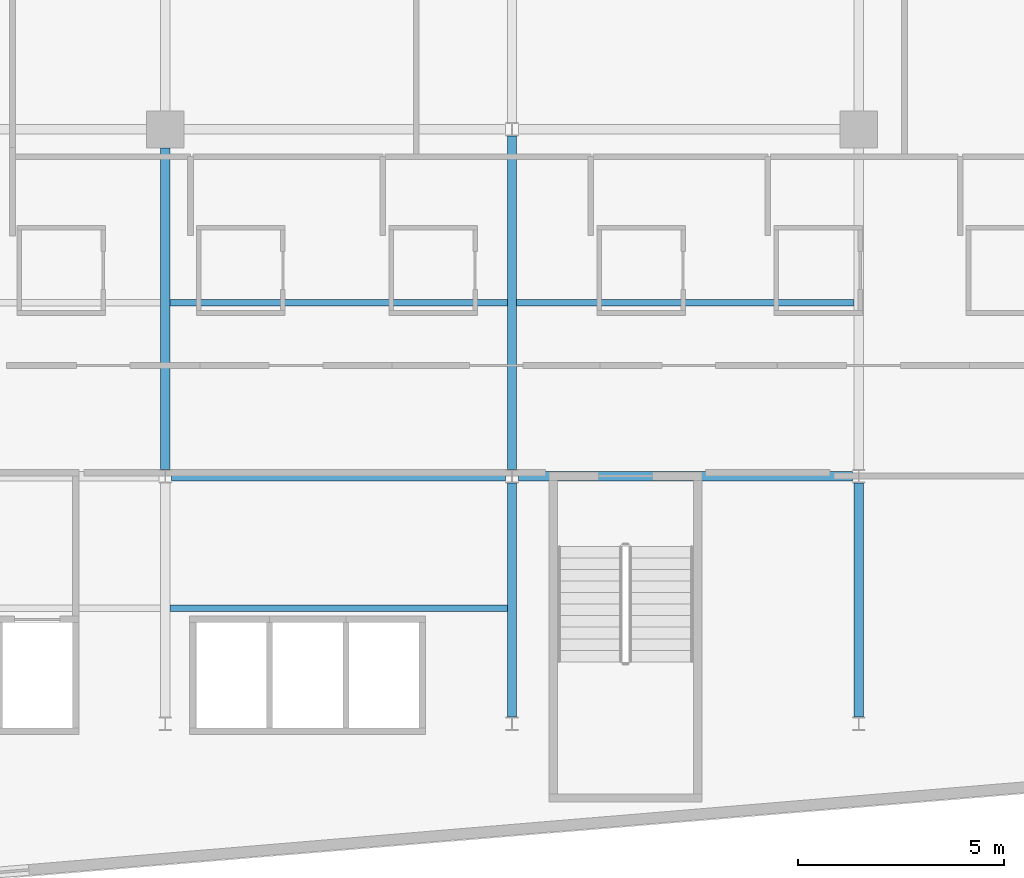
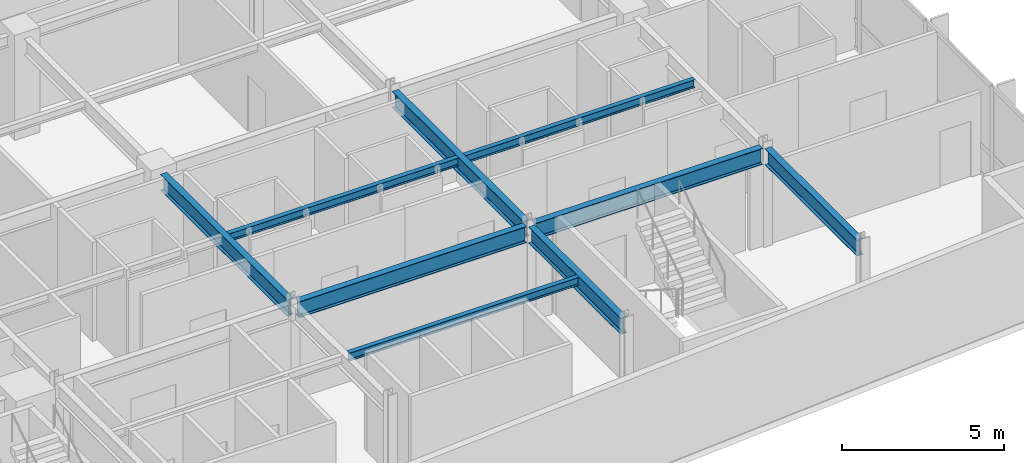
# One storey, part 4 of 20: 9 beams.
"""IFC4 building model written with IfcOpenShell, lengths in metres."""

from ifc_helpers import new_model, si_unit, direction, frame, origin, origin_2d, place, context, subcontext, project, spatial, i_section, extrude, material, material_profile, profile_set, type_object, element, save


model = new_model("IFC4")

# Units and contexts
model_context = context("Model", 3, precision=1e-05, world=origin(), true_north=direction((0.0, 1.0)))
body_context = subcontext(model_context, "Body", "Model", "MODEL_VIEW")
ifc_project = project(units=[si_unit("LENGTHUNIT", "METRE"), si_unit("AREAUNIT", "SQUARE_METRE"), si_unit("VOLUMEUNIT", "CUBIC_METRE"), si_unit("PLANEANGLEUNIT", "RADIAN"), si_unit("MASSUNIT", "GRAM", prefix="KILO")], contexts=[model_context])

# Site, building, storey
site_placement = place(None, origin())
site = spatial("IfcSite", under=ifc_project, at=site_placement, CompositionType="ELEMENT")
building_placement = place(site_placement, origin())
building = spatial("IfcBuilding", under=site, at=building_placement, Name="Varnakote Quay Hospital", CompositionType="ELEMENT")
storey_placement = place(building_placement, frame((0.0, 0.0, 81.75)))
storey = spatial("IfcBuildingStorey", under=building, at=storey_placement, Name="L20", CompositionType="ELEMENT", Elevation=81.75)

# Beams
ifc_material_1 = material(Name="Structural steel AS/NZS 3679.1 Grade 350 L0 (fy 340 MPa)", Category="steel")
ifc_material_profile_1 = material_profile(ifc_material_1, i_section(OverallWidth=0.22900390625, OverallDepth=0.612060546875, WebThickness=0.011962890625, FlangeThickness=0.01953125, FilletRadius=0.013916015625, at=origin_2d()), Name="610UB125")
ifc_profile_set_1 = profile_set([ifc_material_profile_1], Name="Structural steel AS/NZS 3679.1 Grade 350 L0 (fy 340 MPa)")
beam_type_1 = type_object("IfcBeamType", Name="BM-STL-610UB125", PredefinedType="BEAM", material=ifc_profile_set_1)
for number, where, z_axis, x_axis, name in (
    (1, (33.755615234375, 12.0, 3.404052734375), (1.0, 0.0, 0.0), (0.0, 1.0, 0.0), "L20 Primary Floor Beam"),
    (2, (42.155517578125, 12.0, 3.404052734375), (1.0, 0.0, 0.0), (0.0, 1.0, 0.0), "L20 Primary Floor Beam"),
):
    element("IfcBeam", number, at=place(storey_placement, frame(where, z_axis=z_axis, x_axis=x_axis)), inside=storey, type_object=beam_type_1, Name=name, PredefinedType="BEAM", context=body_context, shape_type="SweptSolid", body=[
        extrude(i_section(OverallWidth=0.22900390625, OverallDepth=0.612060546875, WebThickness=0.011962890625, FlangeThickness=0.01953125, FilletRadius=0.013916015625, at=origin_2d()), origin(), (0.0, 0.0, 1.0), 8.0888671875),
    ])
beam_1_placement = place(storey_placement, frame((33.60009765625, 12.16357421875, 3.404052734375), z_axis=(0.0, 1.0, 0.0), x_axis=(-1.0, 0.0, 0.0)))
element("IfcBeam", 3, at=beam_1_placement, inside=storey, type_object=beam_type_1, Name="L20 Primary Tie Beam", PredefinedType="BEAM", context=body_context, shape_type="SweptSolid", body=[
    extrude(i_section(OverallWidth=0.22900390625, OverallDepth=0.612060546875, WebThickness=0.011962890625, FlangeThickness=0.01953125, FilletRadius=0.013916015625, at=origin_2d()), origin(), (0.0, 0.0, 1.0), 7.786376953125),
])
beam_2_placement = place(storey_placement, frame((42.0, 6.16357421875, 3.404052734375), z_axis=(0.0, 1.0, 0.0), x_axis=(-1.0, 0.0, 0.0)))
element("IfcBeam", 4, at=beam_2_placement, inside=storey, type_object=beam_type_1, Name="L20 Primary Tie Beam", PredefinedType="BEAM", context=body_context, shape_type="SweptSolid", body=[
    extrude(i_section(OverallWidth=0.22900390625, OverallDepth=0.612060546875, WebThickness=0.011962890625, FlangeThickness=0.01953125, FilletRadius=0.013916015625, at=origin_2d()), origin(), (0.0, 0.0, 1.0), 5.6728515625),
])
beam_3_placement = place(storey_placement, frame((42.0, 12.16357421875, 3.404052734375), z_axis=(0.0, 1.0, 0.0), x_axis=(-1.0, 0.0, 0.0)))
element("IfcBeam", 5, at=beam_3_placement, inside=storey, type_object=beam_type_1, Name="L20 Primary Tie Beam", PredefinedType="BEAM", context=body_context, shape_type="SweptSolid", body=[
    extrude(i_section(OverallWidth=0.22900390625, OverallDepth=0.612060546875, WebThickness=0.011962890625, FlangeThickness=0.01953125, FilletRadius=0.013916015625, at=origin_2d()), origin(), (0.0, 0.0, 1.0), 8.072998046875),
])
beam_4_placement = place(storey_placement, frame((50.39990234375, 6.16357421875, 3.404052734375), z_axis=(0.0, 1.0, 0.0), x_axis=(-1.0, 0.0, 0.0)))
element("IfcBeam", 6, at=beam_4_placement, inside=storey, type_object=beam_type_1, Name="L20 Primary Tie Beam", PredefinedType="BEAM", context=body_context, shape_type="SweptSolid", body=[
    extrude(i_section(OverallWidth=0.22900390625, OverallDepth=0.612060546875, WebThickness=0.011962890625, FlangeThickness=0.01953125, FilletRadius=0.013916015625, at=origin_2d()), origin(), (0.0, 0.0, 1.0), 5.6728515625),
])
ifc_material_2 = material(Name="Structural steel AS/NZS 3679.1 Grade 350 L0 (fy 340 MPa)", Category="steel")
ifc_material_profile_2 = material_profile(ifc_material_2, i_section(OverallWidth=0.1650390625, OverallDepth=0.303955078125, WebThickness=0.006103515625, FlangeThickness=0.01025390625, FilletRadius=0.011474609375, at=origin_2d()), Name="310UB40.4")
ifc_profile_set_2 = profile_set([ifc_material_profile_2], Name="Structural steel AS/NZS 3679.1 Grade 350 L0 (fy 340 MPa)")
beam_type_2 = type_object("IfcBeamType", Name="JST-STL-310UB40-4", PredefinedType="JOIST", material=ifc_profile_set_2)
for number, where, z_axis, x_axis, name in (
    (7, (33.714599609375, 8.800048828125, 3.55810546875), (1.0, 0.0, 0.0), (0.0, 1.0, 0.0), "L20 Composite Floor Joist"),
    (8, (33.714599609375, 16.199951171875, 3.55810546875), (1.0, 0.0, 0.0), (0.0, 1.0, 0.0), "L20 Composite Floor Joist"),
    (9, (42.114501953125, 16.199951171875, 3.55810546875), (1.0, 0.0, 0.0), (0.0, 1.0, 0.0), "L20 Composite Floor Joist"),
):
    element("IfcBeam", number, at=place(storey_placement, frame(where, z_axis=z_axis, x_axis=x_axis)), inside=storey, type_object=beam_type_2, Name=name, PredefinedType="JOIST", context=body_context, shape_type="SweptSolid", body=[
        extrude(i_section(OverallWidth=0.1650390625, OverallDepth=0.303955078125, WebThickness=0.006103515625, FlangeThickness=0.01025390625, FilletRadius=0.011474609375, at=origin_2d()), origin(), (0.0, 0.0, 1.0), 8.1708984375),
    ])

save(model, "model.ifc")
